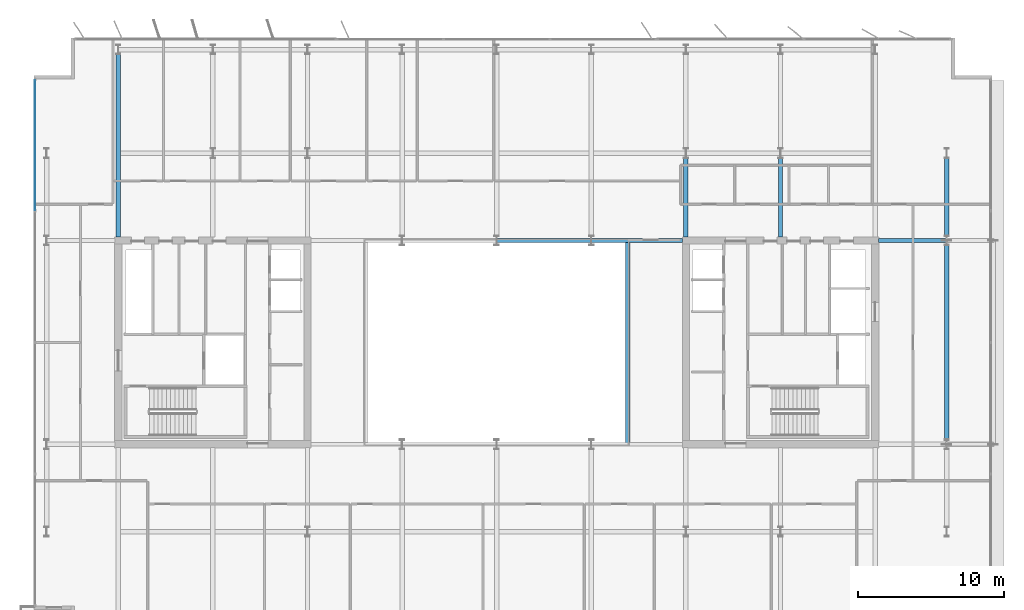
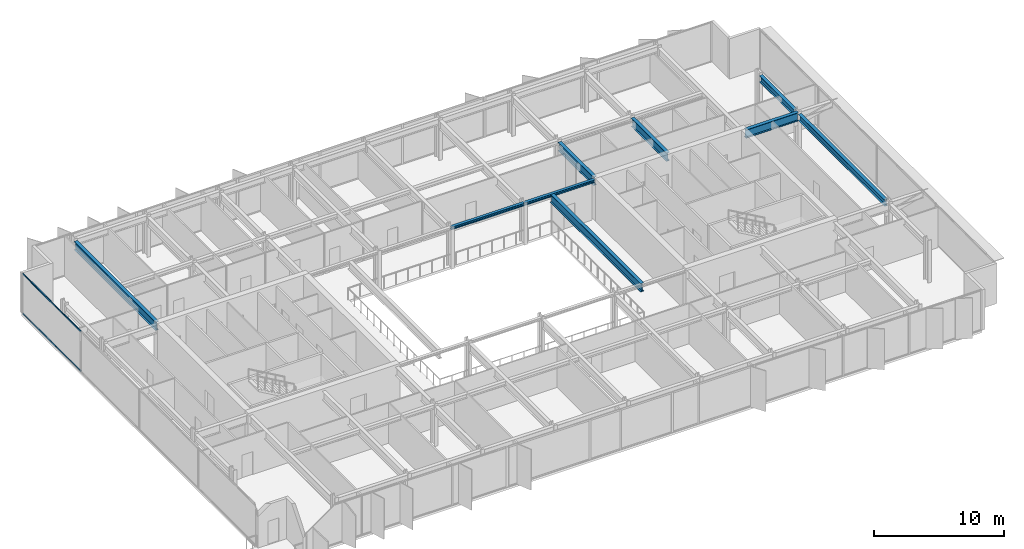
# One storey, part 7 of 20: 9 beams, 2 members, 1 element without a shape of its own.
"""IFC4 building model written with IfcOpenShell, lengths in metres."""

from ifc_helpers import new_model, si_unit, direction, frame, origin, origin_2d, place, context, subcontext, project, spatial, rectangle, i_section, extrude, material, layer, layer_set, material_profile, profile_set, type_object, element, aggregate, save


model = new_model("IFC4")

# Units and contexts
model_context = context("Model", 3, precision=1e-05, world=origin(), true_north=direction((0.0, 1.0)))
body_context = subcontext(model_context, "Body", "Model", "MODEL_VIEW")
ifc_project = project(units=[si_unit("LENGTHUNIT", "METRE"), si_unit("AREAUNIT", "SQUARE_METRE"), si_unit("VOLUMEUNIT", "CUBIC_METRE"), si_unit("PLANEANGLEUNIT", "RADIAN"), si_unit("MASSUNIT", "GRAM", prefix="KILO")], contexts=[model_context])

# Site, building, storey
site_placement = place(None, origin())
site = spatial("IfcSite", under=ifc_project, at=site_placement, CompositionType="ELEMENT")
building_placement = place(site_placement, origin())
building = spatial("IfcBuilding", under=site, at=building_placement, Name="Putna Gate Headquarters", CompositionType="ELEMENT")
storey_placement = place(building_placement, frame((0.0, 0.0, 286.39990234375)))
storey = spatial("IfcBuildingStorey", under=building, at=storey_placement, Name="L72", CompositionType="ELEMENT", Elevation=286.39990234375)

# Beams
ifc_material_1 = material(Name="Steel S355J2", Category="steel")
ifc_material_profile_1 = material_profile(ifc_material_1, i_section(OverallWidth=0.260009765625, OverallDepth=0.260009765625, WebThickness=0.010009765625, FlangeThickness=0.017578125, at=origin_2d()), Name="Steel S355J2")
ifc_profile_set_1 = profile_set([ifc_material_profile_1], Name="Steel S355J2")
beam_type_1 = type_object("IfcBeamType", Name="BM-ATRIUM-HEB260", PredefinedType="BEAM", material=ifc_profile_set_1)
beam_1_placement = place(storey_placement, frame((39.006103515625, 33.0, 3.658203125), z_axis=(1.0, 0.0, 0.0), x_axis=(0.0, 1.0, 0.0)))
element("IfcBeam", 1, at=beam_1_placement, inside=storey, type_object=beam_type_1, Name="L72 Atrium Edge Beam AN3", PredefinedType="BEAM", context=body_context, shape_type="SweptSolid", body=[
    extrude(i_section(OverallWidth=0.260009765625, OverallDepth=0.260009765625, WebThickness=0.010009765625, FlangeThickness=0.017578125, at=origin_2d()), origin(), (0.0, 0.0, 1.0), 6.48779296875),
])
beam_2_placement = place(storey_placement, frame((45.506103515625, 33.0, 3.658203125), z_axis=(1.0, 0.0, 0.0), x_axis=(0.0, 1.0, 0.0)))
element("IfcBeam", 2, at=beam_2_placement, inside=storey, type_object=beam_type_1, Name="L72 Atrium Edge Beam AN4", PredefinedType="BEAM", context=body_context, shape_type="SweptSolid", body=[
    extrude(i_section(OverallWidth=0.260009765625, OverallDepth=0.260009765625, WebThickness=0.010009765625, FlangeThickness=0.017578125, at=origin_2d()), origin(), (0.0, 0.0, 1.0), 6.2587890625),
])
ifc_material_profile_2 = material_profile(ifc_material_1, i_section(OverallWidth=0.300048828125, OverallDepth=0.800048828125, WebThickness=0.017578125, FlangeThickness=0.032958984375, at=origin_2d()), Name="Steel S355J2")
ifc_profile_set_2 = profile_set([ifc_material_profile_2], Name="Steel S355J2")
beam_type_2 = type_object("IfcBeamType", Name="BM-GIRD-P-HEB800", PredefinedType="USERDEFINED", material=ifc_profile_set_2)
beam_3_placement = place(storey_placement, frame((65.235107421875, 33.0, 3.38818359375), z_axis=(1.0, 0.0, 0.0), x_axis=(0.0, 1.0, 0.0)))
element("IfcBeam", 3, at=beam_3_placement, inside=storey, type_object=beam_type_2, Name="L72 East Wing Girder Y33", ObjectType="GIRDER", PredefinedType="USERDEFINED", context=body_context, shape_type="SweptSolid", body=[
    extrude(i_section(OverallWidth=0.300048828125, OverallDepth=0.800048828125, WebThickness=0.017578125, FlangeThickness=0.032958984375, at=origin_2d()), origin(), (0.0, 0.0, 1.0), 4.678955078125),
])
beam_4_placement = place(storey_placement, frame((13.0, 33.235107421875, 3.38818359375), z_axis=(0.0, 1.0, 0.0), x_axis=(-1.0, 0.0, 0.0)))
element("IfcBeam", 4, at=beam_4_placement, inside=storey, type_object=beam_type_2, Name="L72 North Primary Girder X13", ObjectType="GIRDER", PredefinedType="USERDEFINED", context=body_context, shape_type="SweptSolid", body=[
    extrude(i_section(OverallWidth=0.300048828125, OverallDepth=0.800048828125, WebThickness=0.017578125, FlangeThickness=0.032958984375, at=origin_2d()), origin(), (0.0, 0.0, 1.0), 12.56298828125),
])
for number, where, z_axis, x_axis, name in (
    (5, (52.0, 33.235107421875, 3.38818359375), (0.0, 1.0, 0.0), (-1.0, 0.0, 0.0), "L72 North Primary Girder X52-1"),
    (6, (58.5, 33.235107421875, 3.38818359375), (0.0, 1.0, 0.0), (-1.0, 0.0, 0.0), "L72 North Primary Girder X58-1"),
):
    element("IfcBeam", number, at=place(storey_placement, frame(where, z_axis=z_axis, x_axis=x_axis)), inside=storey, type_object=beam_type_2, Name=name, ObjectType="GIRDER", PredefinedType="USERDEFINED", context=body_context, shape_type="SweptSolid", body=[
        extrude(i_section(OverallWidth=0.300048828125, OverallDepth=0.800048828125, WebThickness=0.017578125, FlangeThickness=0.032958984375, at=origin_2d()), origin(), (0.0, 0.0, 1.0), 5.44287109375),
    ])
beam_5_placement = place(storey_placement, frame((48.0, 19.010009765625, 3.38818359375), z_axis=(0.0, 1.0, 0.0), x_axis=(-1.0, 0.0, 0.0)))
element("IfcBeam", 7, at=beam_5_placement, inside=storey, type_object=beam_type_2, Name="L72 Atrium Trim Girder AE", ObjectType="GIRDER", PredefinedType="USERDEFINED", context=body_context, shape_type="SweptSolid", body=[
    extrude(i_section(OverallWidth=0.300048828125, OverallDepth=0.800048828125, WebThickness=0.017578125, FlangeThickness=0.032958984375, at=origin_2d()), origin(), (0.0, 0.0, 1.0), 13.97998046875),
])
ifc_material_profile_3 = material_profile(ifc_material_1, i_section(OverallWidth=0.300048828125, OverallDepth=0.590087890625, WebThickness=0.012939453125, FlangeThickness=0.02490234375, at=origin_2d()), Name="Steel S355J2")
ifc_profile_set_3 = profile_set([ifc_material_profile_3], Name="Steel S355J2")
beam_type_3 = type_object("IfcBeamType", Name="BM-SPAN-Z4-HEA600", PredefinedType="SPANDREL", material=ifc_profile_set_3)
beam_6_placement = place(storey_placement, frame((69.919921875, 19.322021484375, 3.4931640625), z_axis=(0.0, 1.0, 0.0), x_axis=(-1.0, 0.0, 0.0)))
element("IfcBeam", 8, at=beam_6_placement, inside=storey, type_object=beam_type_3, Name="L72 E End Spandrel 2", PredefinedType="SPANDREL", context=body_context, shape_type="SweptSolid", body=[
    extrude(i_section(OverallWidth=0.300048828125, OverallDepth=0.590087890625, WebThickness=0.012939453125, FlangeThickness=0.02490234375, at=origin_2d()), origin(), (0.0, 0.0, 1.0), 13.35595703125),
])
beam_7_placement = place(storey_placement, frame((69.919921875, 33.322021484375, 3.4931640625), z_axis=(0.0, 1.0, 0.0), x_axis=(-1.0, 0.0, 0.0)))
element("IfcBeam", 9, at=beam_7_placement, inside=storey, type_object=beam_type_3, Name="L72 E End Spandrel 3", PredefinedType="SPANDREL", context=body_context, shape_type="SweptSolid", body=[
    extrude(i_section(OverallWidth=0.300048828125, OverallDepth=0.590087890625, WebThickness=0.012939453125, FlangeThickness=0.02490234375, at=origin_2d()), origin(), (0.0, 0.0, 1.0), 5.35595703125),
])

# Curtain wall, members
ifc_material_2 = material(Name="Anodised bronze aluminium curtain wall", Category="aluminium")
ifc_layer = layer(ifc_material_2, 0.179931640625)
ifc_layer_set = layer_set([ifc_layer], Name="Anodised bronze aluminium curtain wall")
curtain_wall_type = type_object("IfcCurtainWallType", Name="CW-SYS-Z5", PredefinedType="USERDEFINED", material=ifc_layer_set)
curtain_wall_placement = place(storey_placement, origin())
curtain_wall = element("IfcCurtainWall", 10, at=curtain_wall_placement, inside=storey, type_object=curtain_wall_type, Name="L72 West Curtain Wall", ObjectType="STICK CURTAIN WALL", PredefinedType="USERDEFINED")
ifc_material_3 = material(Name="Anodised bronze aluminium EN AW-6060", Category="aluminium")
ifc_material_profile_4 = material_profile(ifc_material_3, rectangle(XDim=0.06005859375, YDim=0.10009765625, at=origin_2d()), Name="Anodised bronze aluminium EN AW-6060")
ifc_profile_set_4 = profile_set([ifc_material_profile_4], Name="Anodised bronze aluminium EN AW-6060")
member_type = type_object("IfcMemberType", Name="TRAN-CWT-5", PredefinedType="USERDEFINED", material=ifc_profile_set_4)
member_1_placement = place(storey_placement, frame((7.280029296875, 35.0849609375, 0.030029296875), z_axis=(0.0, 1.0, 0.0), x_axis=(-1.0, 0.0, 0.0)))
member_1 = element("IfcMember", 11, at=member_1_placement, type_object=member_type, Name="CWS-5 transom 4.1", ObjectType="TRANSOM", PredefinedType="USERDEFINED", context=body_context, shape_type="SweptSolid", body=[
    extrude(rectangle(XDim=0.06005859375, YDim=0.10009765625, at=origin_2d()), origin(), (0.0, 0.0, 1.0), 8.945068359375),
])
member_2_placement = place(storey_placement, frame((7.280029296875, 35.0849609375, 3.758056640625), z_axis=(0.0, 1.0, 0.0), x_axis=(-1.0, 0.0, 0.0)))
member_2 = element("IfcMember", 12, at=member_2_placement, type_object=member_type, Name="CWS-5 transom 4.2", ObjectType="TRANSOM", PredefinedType="USERDEFINED", context=body_context, shape_type="SweptSolid", body=[
    extrude(rectangle(XDim=0.06005859375, YDim=0.10009765625, at=origin_2d()), origin(), (0.0, 0.0, 1.0), 8.945068359375),
])
aggregate(curtain_wall, [member_1, member_2])

save(model, "model.ifc")
